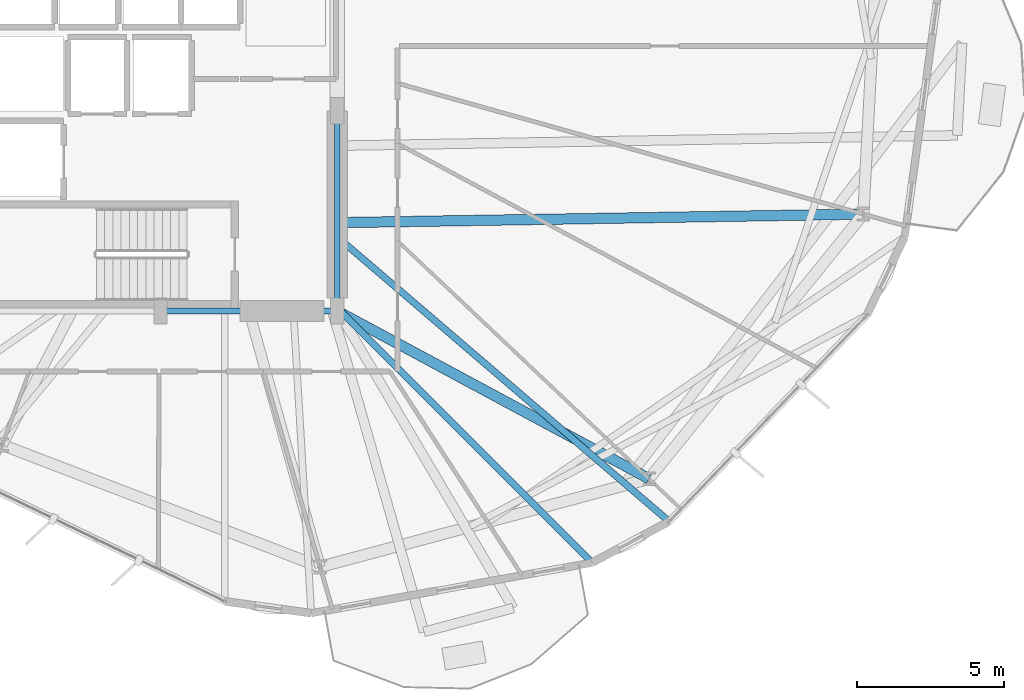
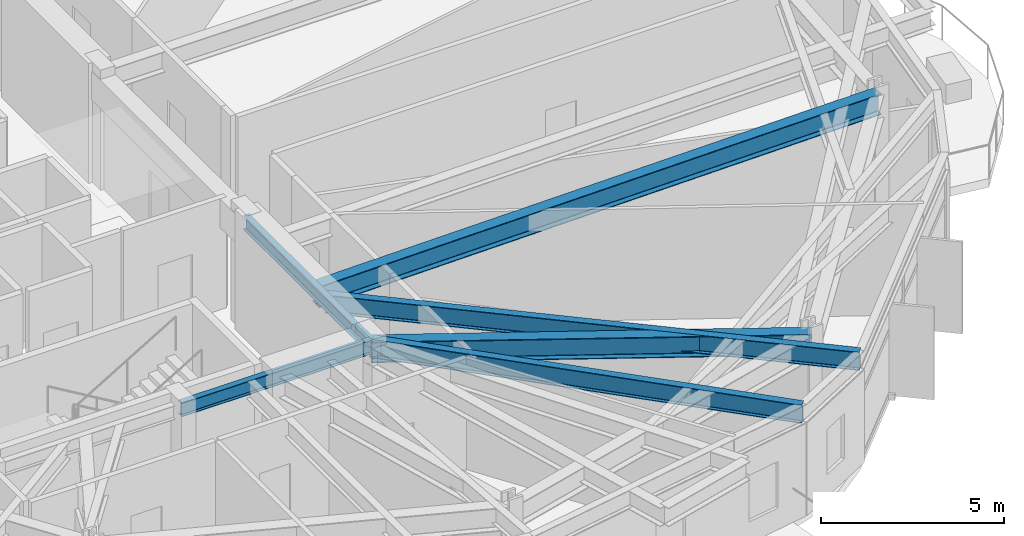
# One storey, part 5 of 22: 6 beams.
"""IFC4 building model written with IfcOpenShell, lengths in metres."""

from ifc_helpers import new_model, si_unit, direction, frame, origin, origin_2d, place, context, subcontext, project, spatial, i_section, extrude, material, material_profile, profile_set, type_object, element, save


model = new_model("IFC4")

# Units and contexts
model_context = context("Model", 3, precision=1e-05, world=origin(), true_north=direction((0.0, 1.0)))
body_context = subcontext(model_context, "Body", "Model", "MODEL_VIEW")
ifc_project = project(units=[si_unit("LENGTHUNIT", "METRE"), si_unit("AREAUNIT", "SQUARE_METRE"), si_unit("VOLUMEUNIT", "CUBIC_METRE"), si_unit("PLANEANGLEUNIT", "RADIAN"), si_unit("MASSUNIT", "GRAM", prefix="KILO")], contexts=[model_context])

# Site, building, storey
site_placement = place(None, origin())
site = spatial("IfcSite", under=ifc_project, at=site_placement, CompositionType="ELEMENT")
building_placement = place(site_placement, origin())
building = spatial("IfcBuilding", under=site, at=building_placement, Name="Soratama Intermodal Tower", CompositionType="ELEMENT")
storey_placement = place(building_placement, frame((0.0, 0.0, 66.60009765625)))
storey = spatial("IfcBuildingStorey", under=building, at=storey_placement, Name="L15", CompositionType="ELEMENT", Elevation=66.60009765625)

# Beams
ifc_material_1 = material(Name="Structural steel ASTM A992 Grade 50", Category="steel")
ifc_material_profile_1 = material_profile(ifc_material_1, i_section(OverallWidth=0.19091796875, OverallDepth=0.4599609375, WebThickness=0.010009765625, FlangeThickness=0.01611328125, FilletRadius=0.010986328125, at=origin_2d()), Name="W18X55")
ifc_profile_set_1 = profile_set([ifc_material_profile_1], Name="Structural steel ASTM A992 Grade 50")
beam_type_1 = type_object("IfcBeamType", Name="BM-FLR-W18X55", PredefinedType="BEAM", material=ifc_profile_set_1)
beam_1_placement = place(storey_placement, frame((38.60009765625, 15.0, 3.469970703125), z_axis=(1.0, 0.0, 0.0), x_axis=(0.0, 1.0, 0.0)))
element("IfcBeam", 1, at=beam_1_placement, inside=storey, type_object=beam_type_1, Name="BM-L15-CRING-02", PredefinedType="BEAM", context=body_context, shape_type="SweptSolid", body=[
    extrude(i_section(OverallWidth=0.19091796875, OverallDepth=0.4599609375, WebThickness=0.010009765625, FlangeThickness=0.01611328125, FilletRadius=0.010986328125, at=origin_2d()), origin(), (0.0, 0.0, 1.0), 6.0),
])
beam_2_placement = place(storey_placement, frame((44.60009765625, 15.0, 3.469970703125), z_axis=(0.0, 1.0, 0.0), x_axis=(-1.0, 0.0, 0.0)))
element("IfcBeam", 2, at=beam_2_placement, inside=storey, type_object=beam_type_1, Name="BM-L15-CRING-03", PredefinedType="BEAM", context=body_context, shape_type="SweptSolid", body=[
    extrude(i_section(OverallWidth=0.19091796875, OverallDepth=0.4599609375, WebThickness=0.010009765625, FlangeThickness=0.01611328125, FilletRadius=0.010986328125, at=origin_2d()), origin(), (0.0, 0.0, 1.0), 6.800048828125),
])
ifc_material_2 = material(Name="Structural steel ASTM A992 Grade 50", Category="steel")
ifc_material_profile_2 = material_profile(ifc_material_2, i_section(OverallWidth=0.35498046875, OverallDepth=0.695068359375, WebThickness=0.015380859375, FlangeThickness=0.02490234375, FilletRadius=0.01611328125, at=origin_2d()), Name="W27X146")
ifc_profile_set_2 = profile_set([ifc_material_profile_2], Name="Structural steel ASTM A992 Grade 50")
beam_type_2 = type_object("IfcBeamType", Name="BM-RING-W27X146", PredefinedType="BEAM", material=ifc_profile_set_2)
beam_3_placement = place(storey_placement, frame((44.60009765625, 15.0, 3.352294921875), z_axis=(0.880663887759, -0.473741613961, 0.0), x_axis=(0.473741613961, 0.880663887759, 0.0)))
element("IfcBeam", 3, at=beam_3_placement, inside=storey, type_object=beam_type_2, Name="BM-L15-RAD-09", PredefinedType="BEAM", context=body_context, shape_type="SweptSolid", body=[
    extrude(i_section(OverallWidth=0.35498046875, OverallDepth=0.695068359375, WebThickness=0.015380859375, FlangeThickness=0.02490234375, FilletRadius=0.01611328125, at=origin_2d()), origin(), (0.0, 0.0, 1.0), 12.03173828125),
])
beam_4_placement = place(storey_placement, frame((44.60009765625, 18.0, 3.352294921875), z_axis=(0.999867526408, 0.016276659176, 0.0), x_axis=(-0.016276659176, 0.999867526408, 0.0)))
element("IfcBeam", 4, at=beam_4_placement, inside=storey, type_object=beam_type_2, Name="BM-L15-RAD-10", PredefinedType="BEAM", context=body_context, shape_type="SweptSolid", body=[
    extrude(i_section(OverallWidth=0.35498046875, OverallDepth=0.695068359375, WebThickness=0.015380859375, FlangeThickness=0.02490234375, FilletRadius=0.01611328125, at=origin_2d()), origin(), (0.0, 0.0, 1.0), 17.87939453125),
])
ifc_material_3 = material(Name="Structural steel ASTM A992 Grade 50", Category="steel")
ifc_material_profile_3 = material_profile(ifc_material_3, i_section(OverallWidth=0.22900390625, OverallDepth=0.612060546875, WebThickness=0.011962890625, FlangeThickness=0.01953125, FilletRadius=0.012939453125, at=origin_2d()), Name="W24X84")
ifc_profile_set_3 = profile_set([ifc_material_profile_3], Name="Structural steel ASTM A992 Grade 50")
beam_type_3 = type_object("IfcBeamType", Name="BM-TIE-W24X84", PredefinedType="BEAM", material=ifc_profile_set_3)
beam_5_placement = place(storey_placement, frame((44.6279296875, 15.080078125, 3.393798828125), z_axis=(0.707266701296, -0.706946824901, 0.0), x_axis=(0.706946824901, 0.707266701296, 0.0)))
element("IfcBeam", 5, at=beam_5_placement, inside=storey, type_object=beam_type_3, Name="BM-L15-TIE1-08", PredefinedType="BEAM", context=body_context, shape_type="SweptSolid", body=[
    extrude(i_section(OverallWidth=0.22900390625, OverallDepth=0.612060546875, WebThickness=0.011962890625, FlangeThickness=0.01953125, FilletRadius=0.012939453125, at=origin_2d()), origin(), (0.0, 0.0, 1.0), 12.211669921875),
])
beam_6_placement = place(storey_placement, frame((44.6298828125, 17.493896484375, 3.393798828125), z_axis=(0.759192634858, -0.650865994793, 0.0), x_axis=(0.650865994793, 0.759192634858, 0.0)))
element("IfcBeam", 6, at=beam_6_placement, inside=storey, type_object=beam_type_3, Name="BM-L15-TIE0-09", PredefinedType="BEAM", context=body_context, shape_type="SweptSolid", body=[
    extrude(i_section(OverallWidth=0.22900390625, OverallDepth=0.612060546875, WebThickness=0.011962890625, FlangeThickness=0.01953125, FilletRadius=0.012939453125, at=origin_2d()), origin(), (0.0, 0.0, 1.0), 14.818359375),
])

save(model, "model.ifc")
